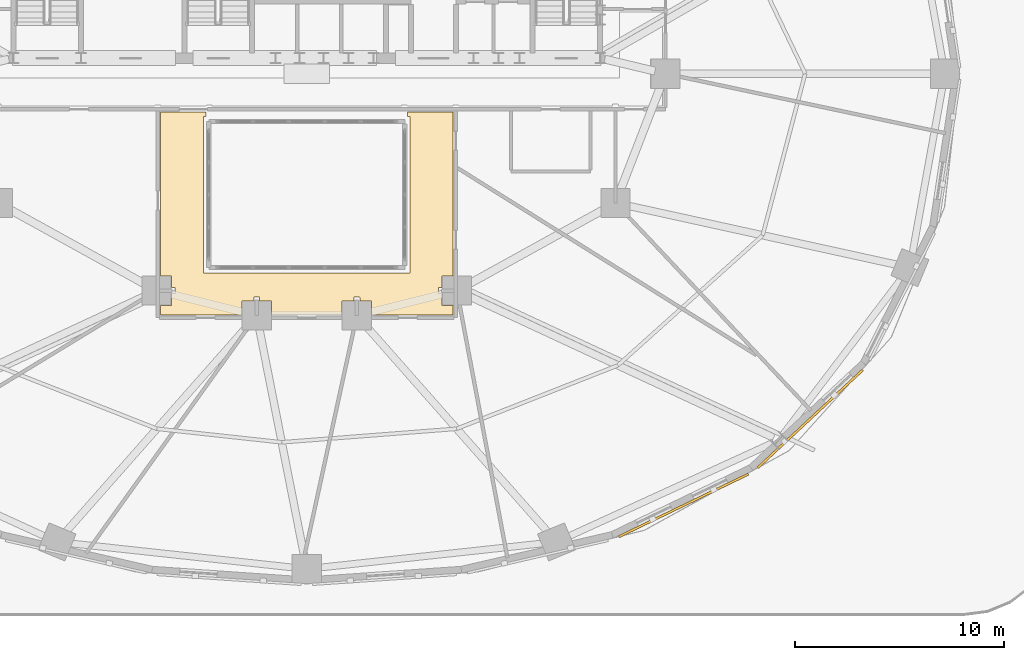
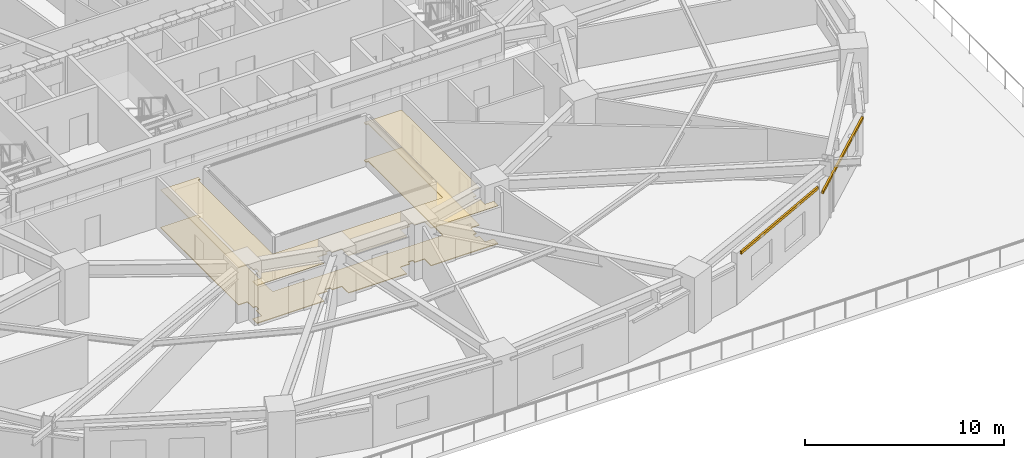
# One storey, part 15 of 18: 4 coverings.
"""IFC4 building model written with IfcOpenShell, lengths in metres."""

from ifc_helpers import new_model, si_unit, direction, frame, origin, place, context, subcontext, project, spatial, polyline, outline, extrude, material, layer, layer_set, type_object, element, save


model = new_model("IFC4")

# Units and contexts
model_context = context("Model", 3, precision=1e-05, world=origin(), true_north=direction((0.0, 1.0)))
body_context = subcontext(model_context, "Body", "Model", "MODEL_VIEW")
ifc_project = project(units=[si_unit("LENGTHUNIT", "METRE"), si_unit("AREAUNIT", "SQUARE_METRE"), si_unit("VOLUMEUNIT", "CUBIC_METRE"), si_unit("PLANEANGLEUNIT", "RADIAN"), si_unit("MASSUNIT", "GRAM", prefix="KILO")], contexts=[model_context])

# Site, building, storey
site_placement = place(None, origin())
site = spatial("IfcSite", under=ifc_project, at=site_placement, CompositionType="ELEMENT")
building_placement = place(site_placement, origin())
building = spatial("IfcBuilding", under=site, at=building_placement, Name="Haldorwick Loom Tower", CompositionType="ELEMENT")
storey_placement = place(building_placement, frame((0.0, 0.0, 24.0)))
storey = spatial("IfcBuildingStorey", under=building, at=storey_placement, Name="L05", CompositionType="ELEMENT", Elevation=24.0)

# Coverings
ifc_material_1 = material(Name="Corbelled Pressed Clay Face Brick Veneer", Category="masonry")
ifc_layer_1 = layer(ifc_material_1, 0.110107421875, Name="Corbelled Pressed Clay Face Brick Veneer", Category="masonry")
ifc_layer_set_1 = layer_set([ifc_layer_1], Name="Corbelled Pressed Clay Face Brick Veneer")
covering_type_1 = type_object("IfcCoveringType", Name="ARC-COV-BRICK110", PredefinedType="CLADDING", material=ifc_layer_set_1)
covering_1_placement = place(storey_placement, frame((0.0, 0.0, 3.050048828125)))
element("IfcCovering", 1, at=covering_1_placement, inside=storey, type_object=covering_type_1, Name="L05 Head Face-Brick Lintel Band 21", PredefinedType="CLADDING", context=body_context, shape_type="SweptSolid", body=[
    extrude(outline(polyline([(50.9873046875, 3.75), (57.19677734375, 6.751953125), (57.14892578125, 6.85107421875), (50.939453125, 3.84912109375), (50.9873046875, 3.75)])), origin(), (0.0, 0.0, 1.0), 0.159912109375),
])
covering_2_placement = place(storey_placement, frame((0.0, 0.0, 2.408935546875)))
element("IfcCovering", 2, at=covering_2_placement, inside=storey, type_object=covering_type_1, Name="L05 Head Face-Brick Lintel Band 22", PredefinedType="CLADDING", context=body_context, shape_type="SweptSolid", body=[
    extrude(outline(polyline([(57.67138671875, 7.07666015625), (62.68994140625, 11.751220703125), (62.614990234375, 11.83154296875), (57.59619140625, 7.1572265625), (57.67138671875, 7.07666015625)])), origin(), (0.0, 0.0, 1.0), 0.16015625),
])
ifc_material_2 = material(Name="Mineral Fibre Acoustic Ceiling Tile")
ifc_layer_2 = layer(ifc_material_2, 0.054931640625, Name="Mineral Fibre Acoustic Ceiling Tile")
ifc_layer_set_2 = layer_set([ifc_layer_2], Name="Mineral Fibre Acoustic Ceiling Tile")
covering_type_2 = type_object("IfcCoveringType", Name="ARC-COV-CEIL2", PredefinedType="CEILING", material=ifc_layer_set_2)
covering_3_placement = place(storey_placement, frame((0.0, 0.0, 2.302001953125)))
element("IfcCovering", 3, at=covering_3_placement, inside=storey, type_object=covering_type_2, Name="L05 Acoustic Suspended Ceiling 1", PredefinedType="CEILING", context=body_context, shape_type="SweptSolid", body=[
    extrude(outline(polyline([(37.69189453125, 14.44091796875), (37.69189453125, 15.10791015625), (38.260009765625, 15.10791015625), (38.260009765625, 15.27001953125), (38.260009765625, 15.27197265625), (38.260498046875, 15.27392578125), (38.260986328125, 15.27587890625), (38.261474609375, 15.277587890625), (38.262451171875, 15.279296875), (38.263427734375, 15.281005859375), (38.264404296875, 15.28271484375), (38.265869140625, 15.2841796875), (38.267333984375, 15.285400390625), (38.268798828125, 15.28662109375), (38.2705078125, 15.28759765625), (38.272216796875, 15.28857421875), (38.274169921875, 15.2890625), (38.276123046875, 15.28955078125), (38.278076171875, 15.289794921875), (38.280029296875, 15.2900390625), (38.52001953125, 15.2900390625), (38.52197265625, 15.289794921875), (38.52392578125, 15.28955078125), (38.52587890625, 15.2890625), (38.527587890625, 15.28857421875), (38.529296875, 15.28759765625), (38.531005859375, 15.28662109375), (38.53271484375, 15.285400390625), (38.5341796875, 15.2841796875), (38.535400390625, 15.28271484375), (38.53662109375, 15.281005859375), (38.53759765625, 15.279296875), (38.53857421875, 15.277587890625), (38.5390625, 15.27587890625), (38.53955078125, 15.27392578125), (38.539794921875, 15.27197265625), (38.5400390625, 15.27001953125), (38.5400390625, 15.10791015625), (39.10791015625, 15.10791015625), (39.10791015625, 14.43994140625), (43.010009765625, 14.43994140625), (43.010009765625, 14.89208984375), (42.491943359375, 14.89208984375), (42.491943359375, 15.4599609375), (42.330078125, 15.4599609375), (42.327880859375, 15.460205078125), (42.326171875, 15.46044921875), (42.32421875, 15.4609375), (42.322265625, 15.46142578125), (42.320556640625, 15.46240234375), (42.31884765625, 15.46337890625), (42.3173828125, 15.464599609375), (42.31591796875, 15.4658203125), (42.314453125, 15.46728515625), (42.3134765625, 15.468994140625), (42.3125, 15.470703125), (42.3115234375, 15.472412109375), (42.310791015625, 15.47412109375), (42.310302734375, 15.47607421875), (42.31005859375, 15.47802734375), (42.31005859375, 15.47998046875), (42.31005859375, 15.719970703125), (42.31005859375, 15.721923828125), (42.310302734375, 15.723876953125), (42.310791015625, 15.725830078125), (42.3115234375, 15.727783203125), (42.3125, 15.7294921875), (42.3134765625, 15.731201171875), (42.314453125, 15.732666015625), (42.31591796875, 15.734130859375), (42.3173828125, 15.735595703125), (42.31884765625, 15.736572265625), (42.320556640625, 15.737548828125), (42.322265625, 15.738525390625), (42.32421875, 15.739013671875), (42.326171875, 15.739501953125), (42.327880859375, 15.739990234375), (42.330078125, 15.739990234375), (42.491943359375, 15.739990234375), (42.491943359375, 16.30810546875), (43.010009765625, 16.30810546875), (43.010009765625, 24.159912109375), (40.820068359375, 24.159912109375), (40.820068359375, 23.949951171875), (40.949951171875, 23.949951171875), (40.949951171875, 16.449951171875), (31.050048828125, 16.449951171875), (31.050048828125, 23.949951171875), (31.179931640625, 23.949951171875), (31.179931640625, 24.159912109375), (28.989990234375, 24.159912109375), (28.989990234375, 16.30810546875), (29.508056640625, 16.30810546875), (29.508056640625, 15.739990234375), (29.669921875, 15.739990234375), (29.672119140625, 15.739990234375), (29.673828125, 15.739501953125), (29.67578125, 15.739013671875), (29.677734375, 15.738525390625), (29.679443359375, 15.737548828125), (29.68115234375, 15.736572265625), (29.6826171875, 15.735595703125), (29.68408203125, 15.734130859375), (29.685546875, 15.732666015625), (29.6865234375, 15.731201171875), (29.6875, 15.7294921875), (29.6884765625, 15.727783203125), (29.689208984375, 15.725830078125), (29.689697265625, 15.723876953125), (29.68994140625, 15.721923828125), (29.68994140625, 15.719970703125), (29.68994140625, 15.47998046875), (29.68994140625, 15.47802734375), (29.689697265625, 15.47607421875), (29.689208984375, 15.47412109375), (29.6884765625, 15.472412109375), (29.6875, 15.470703125), (29.6865234375, 15.468994140625), (29.685546875, 15.46728515625), (29.68408203125, 15.4658203125), (29.6826171875, 15.464599609375), (29.68115234375, 15.46337890625), (29.679443359375, 15.46240234375), (29.677734375, 15.46142578125), (29.67578125, 15.4609375), (29.673828125, 15.46044921875), (29.672119140625, 15.460205078125), (29.669921875, 15.4599609375), (29.508056640625, 15.4599609375), (29.508056640625, 14.89208984375), (28.989990234375, 14.89208984375), (28.989990234375, 14.43994140625), (32.89208984375, 14.43994140625), (32.89208984375, 15.10791015625), (33.45751953125, 15.10791015625), (33.4599609375, 15.270263671875), (33.460205078125, 15.272216796875), (33.46044921875, 15.274169921875), (33.4609375, 15.276123046875), (33.461669921875, 15.27783203125), (33.46240234375, 15.279541015625), (33.46337890625, 15.28125), (33.464599609375, 15.28271484375), (33.466064453125, 15.2841796875), (33.46728515625, 15.285400390625), (33.468994140625, 15.28662109375), (33.470703125, 15.28759765625), (33.472412109375, 15.28857421875), (33.474365234375, 15.289306640625), (33.47607421875, 15.28955078125), (33.47802734375, 15.289794921875), (33.47998046875, 15.2900390625), (33.719970703125, 15.2900390625), (33.721923828125, 15.289794921875), (33.723876953125, 15.28955078125), (33.725830078125, 15.2890625), (33.727783203125, 15.28857421875), (33.7294921875, 15.28759765625), (33.731201171875, 15.28662109375), (33.732666015625, 15.285400390625), (33.734130859375, 15.2841796875), (33.735595703125, 15.28271484375), (33.736572265625, 15.281005859375), (33.737548828125, 15.279296875), (33.738525390625, 15.277587890625), (33.739013671875, 15.27587890625), (33.739501953125, 15.27392578125), (33.739990234375, 15.27197265625), (33.739990234375, 15.27001953125), (33.739990234375, 15.10791015625), (34.30810546875, 15.10791015625), (34.30810546875, 14.446533203125), (37.69189453125, 14.44091796875)])), origin(), (0.0, 0.0, 1.0), 0.054931640625),
])
ifc_material_3 = material(Name="Polished Aggregate Terrazzo Finish")
ifc_layer_3 = layer(ifc_material_3, 0.044921875, Name="Polished Aggregate Terrazzo Finish")
ifc_layer_set_3 = layer_set([ifc_layer_3], Name="Polished Aggregate Terrazzo Finish")
covering_type_3 = type_object("IfcCoveringType", Name="ARC-COV-FLOOR2", PredefinedType="FLOORING", material=ifc_layer_set_3)
covering_4_placement = place(storey_placement, origin())
element("IfcCovering", 4, at=covering_4_placement, inside=storey, type_object=covering_type_3, Name="L05 Floor Finish 1", PredefinedType="FLOORING", context=body_context, shape_type="SweptSolid", body=[
    extrude(outline(polyline([(37.69189453125, 14.44091796875), (37.69189453125, 15.10791015625), (38.260009765625, 15.10791015625), (38.260009765625, 15.27001953125), (38.260009765625, 15.27197265625), (38.260498046875, 15.27392578125), (38.260986328125, 15.27587890625), (38.261474609375, 15.277587890625), (38.262451171875, 15.279296875), (38.263427734375, 15.281005859375), (38.264404296875, 15.28271484375), (38.265869140625, 15.2841796875), (38.267333984375, 15.285400390625), (38.268798828125, 15.28662109375), (38.2705078125, 15.28759765625), (38.272216796875, 15.28857421875), (38.274169921875, 15.2890625), (38.276123046875, 15.28955078125), (38.278076171875, 15.289794921875), (38.280029296875, 15.2900390625), (38.52001953125, 15.2900390625), (38.52197265625, 15.289794921875), (38.52392578125, 15.28955078125), (38.52587890625, 15.2890625), (38.527587890625, 15.28857421875), (38.529296875, 15.28759765625), (38.531005859375, 15.28662109375), (38.53271484375, 15.285400390625), (38.5341796875, 15.2841796875), (38.535400390625, 15.28271484375), (38.53662109375, 15.281005859375), (38.53759765625, 15.279296875), (38.53857421875, 15.277587890625), (38.5390625, 15.27587890625), (38.53955078125, 15.27392578125), (38.539794921875, 15.27197265625), (38.5400390625, 15.27001953125), (38.5400390625, 15.10791015625), (39.10791015625, 15.10791015625), (39.10791015625, 14.43994140625), (43.010009765625, 14.43994140625), (43.010009765625, 14.89208984375), (42.491943359375, 14.89208984375), (42.491943359375, 15.4599609375), (42.330078125, 15.4599609375), (42.327880859375, 15.460205078125), (42.326171875, 15.46044921875), (42.32421875, 15.4609375), (42.322265625, 15.46142578125), (42.320556640625, 15.46240234375), (42.31884765625, 15.46337890625), (42.3173828125, 15.464599609375), (42.31591796875, 15.4658203125), (42.314453125, 15.46728515625), (42.3134765625, 15.468994140625), (42.3125, 15.470703125), (42.3115234375, 15.472412109375), (42.310791015625, 15.47412109375), (42.310302734375, 15.47607421875), (42.31005859375, 15.47802734375), (42.31005859375, 15.47998046875), (42.31005859375, 15.719970703125), (42.31005859375, 15.721923828125), (42.310302734375, 15.723876953125), (42.310791015625, 15.725830078125), (42.3115234375, 15.727783203125), (42.3125, 15.7294921875), (42.3134765625, 15.731201171875), (42.314453125, 15.732666015625), (42.31591796875, 15.734130859375), (42.3173828125, 15.735595703125), (42.31884765625, 15.736572265625), (42.320556640625, 15.737548828125), (42.322265625, 15.738525390625), (42.32421875, 15.739013671875), (42.326171875, 15.739501953125), (42.327880859375, 15.739990234375), (42.330078125, 15.739990234375), (42.491943359375, 15.739990234375), (42.491943359375, 16.30810546875), (43.010009765625, 16.30810546875), (43.010009765625, 24.159912109375), (40.820068359375, 24.159912109375), (40.820068359375, 23.949951171875), (40.949951171875, 23.949951171875), (40.949951171875, 16.449951171875), (31.050048828125, 16.449951171875), (31.050048828125, 23.949951171875), (31.179931640625, 23.949951171875), (31.179931640625, 24.159912109375), (28.989990234375, 24.159912109375), (28.989990234375, 16.30810546875), (29.508056640625, 16.30810546875), (29.508056640625, 15.739990234375), (29.669921875, 15.739990234375), (29.672119140625, 15.739990234375), (29.673828125, 15.739501953125), (29.67578125, 15.739013671875), (29.677734375, 15.738525390625), (29.679443359375, 15.737548828125), (29.68115234375, 15.736572265625), (29.6826171875, 15.735595703125), (29.68408203125, 15.734130859375), (29.685546875, 15.732666015625), (29.6865234375, 15.731201171875), (29.6875, 15.7294921875), (29.6884765625, 15.727783203125), (29.689208984375, 15.725830078125), (29.689697265625, 15.723876953125), (29.68994140625, 15.721923828125), (29.68994140625, 15.719970703125), (29.68994140625, 15.47998046875), (29.68994140625, 15.47802734375), (29.689697265625, 15.47607421875), (29.689208984375, 15.47412109375), (29.6884765625, 15.472412109375), (29.6875, 15.470703125), (29.6865234375, 15.468994140625), (29.685546875, 15.46728515625), (29.68408203125, 15.4658203125), (29.6826171875, 15.464599609375), (29.68115234375, 15.46337890625), (29.679443359375, 15.46240234375), (29.677734375, 15.46142578125), (29.67578125, 15.4609375), (29.673828125, 15.46044921875), (29.672119140625, 15.460205078125), (29.669921875, 15.4599609375), (29.508056640625, 15.4599609375), (29.508056640625, 14.89208984375), (28.989990234375, 14.89208984375), (28.989990234375, 14.43994140625), (32.89208984375, 14.43994140625), (32.89208984375, 15.10791015625), (33.45751953125, 15.10791015625), (33.4599609375, 15.270263671875), (33.460205078125, 15.272216796875), (33.46044921875, 15.274169921875), (33.4609375, 15.276123046875), (33.461669921875, 15.27783203125), (33.46240234375, 15.279541015625), (33.46337890625, 15.28125), (33.464599609375, 15.28271484375), (33.466064453125, 15.2841796875), (33.46728515625, 15.285400390625), (33.468994140625, 15.28662109375), (33.470703125, 15.28759765625), (33.472412109375, 15.28857421875), (33.474365234375, 15.289306640625), (33.47607421875, 15.28955078125), (33.47802734375, 15.289794921875), (33.47998046875, 15.2900390625), (33.719970703125, 15.2900390625), (33.721923828125, 15.289794921875), (33.723876953125, 15.28955078125), (33.725830078125, 15.2890625), (33.727783203125, 15.28857421875), (33.7294921875, 15.28759765625), (33.731201171875, 15.28662109375), (33.732666015625, 15.285400390625), (33.734130859375, 15.2841796875), (33.735595703125, 15.28271484375), (33.736572265625, 15.281005859375), (33.737548828125, 15.279296875), (33.738525390625, 15.277587890625), (33.739013671875, 15.27587890625), (33.739501953125, 15.27392578125), (33.739990234375, 15.27197265625), (33.739990234375, 15.27001953125), (33.739990234375, 15.10791015625), (34.30810546875, 15.10791015625), (34.30810546875, 14.446533203125), (37.69189453125, 14.44091796875)])), origin(), (0.0, 0.0, 1.0), 0.044921875),
])

save(model, "model.ifc")
